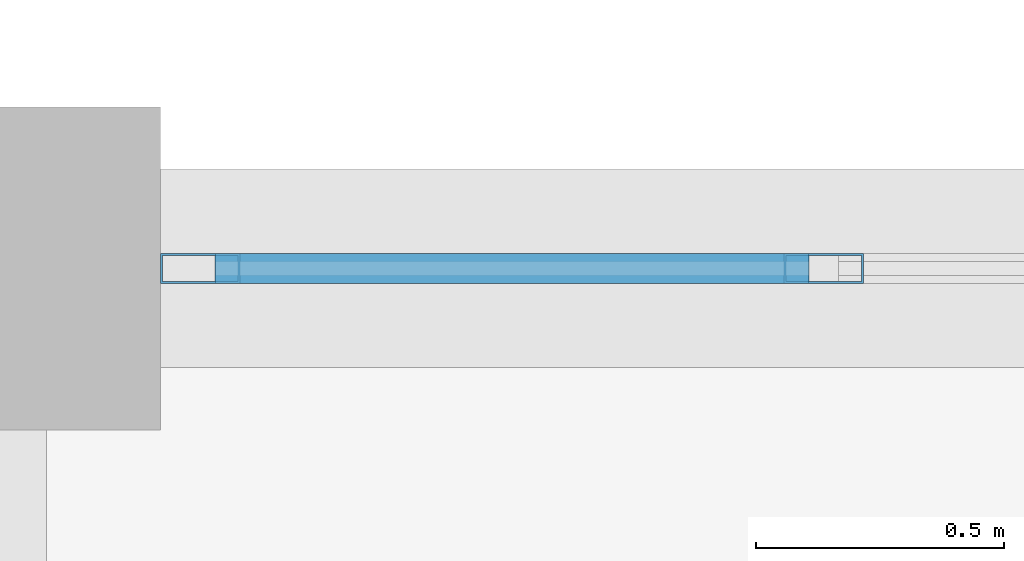
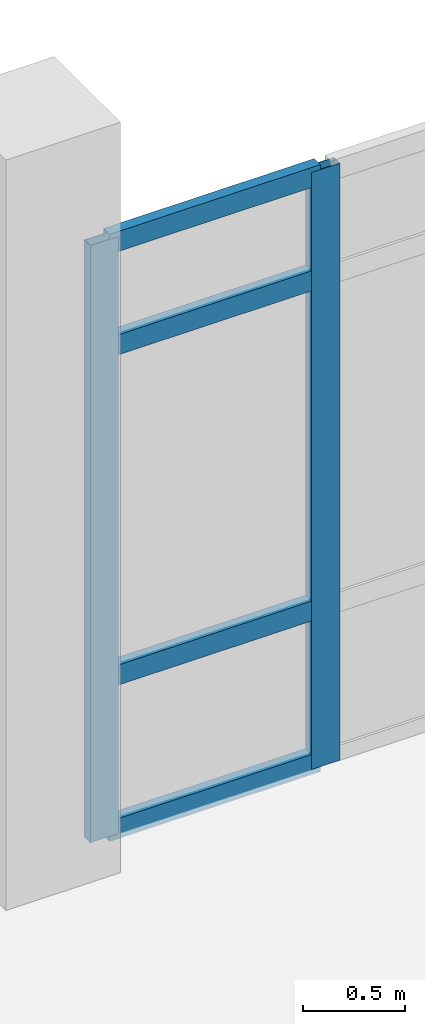
# One storey, part 76 of 116: 6 members, 1 element without a shape of its own.
"""IFC4 building model written with IfcOpenShell, lengths in metres."""

import ifcopenshell
import ifcopenshell.guid

model = None  # the IFC model being written
_history = None  # IfcOwnerHistory: only IFC2X3 demands one
_inside = {}  # id of a spatial element -> (the spatial element, [elements in it])
_under = {}  # id of a project, library or spatial element -> (it, [spatial elements below it])
_declared = {}  # id of a project -> (the project, [libraries it declares])
_typed = {}  # id of a type object -> (the type object, [elements of that type])
_made_of = {}  # id of a material, layer set ... -> (it, [elements and type objects made of it])


def new_model(schema):
    """Start an empty IFC model of exactly this schema.

    Asked for "IFC4X3", IfcOpenShell would pick the latest addendum, in which some entities
    have other attributes; the version numbers below select the first issue.
    IFC2X3 requires an IfcOwnerHistory on every rooted entity: one is made here for all.
    """
    global model, _history
    if schema == "IFC4X3":
        model = ifcopenshell.file(schema_version=(4, 3, 0, 0))
    else:
        model = ifcopenshell.file(schema=schema)
    _inside.clear()
    _under.clear()
    _declared.clear()
    _typed.clear()
    _made_of.clear()
    _history = None
    if model.schema == "IFC2X3":
        org = make("IfcOrganization", Name="unknown")
        user = make(
            "IfcPersonAndOrganization",
            ThePerson=make("IfcPerson", FamilyName="unknown"),
            TheOrganization=org,
        )
        app = make(
            "IfcApplication",
            ApplicationDeveloper=org,
            Version="unknown",
            ApplicationFullName="unknown",
            ApplicationIdentifier="unknown",
        )
        _history = make(
            "IfcOwnerHistory",
            OwningUser=user,
            OwningApplication=app,
            ChangeAction="ADDED",
            CreationDate=0,
        )
    return model


def make(cls, **values):
    """One entity of the class cls with the attributes given. An attribute that is None is left unset."""
    return model.create_entity(
        cls, **{name: value for name, value in values.items() if value is not None}
    )


def rooted(cls, **values):
    """An entity with a GlobalId (a new one), such as an element, a storey or a relation."""
    return make(cls, GlobalId=ifcopenshell.guid.new(), OwnerHistory=_history, **values)


def si_unit(unit_type, name, prefix=None):
    """IfcSIUnit, for example si_unit("LENGTHUNIT", "METRE", prefix="MILLI")."""
    return make("IfcSIUnit", UnitType=unit_type, Prefix=prefix, Name=name)


def assignment(units):
    """IfcUnitAssignment: the units of a project."""
    return None if units is None else make("IfcUnitAssignment", Units=units)


def point(xyz):
    """IfcCartesianPoint."""
    return None if xyz is None else make("IfcCartesianPoint", Coordinates=xyz)


def direction(xyz):
    """IfcDirection."""
    return None if xyz is None else make("IfcDirection", DirectionRatios=xyz)


def frame(location, z_axis=None, x_axis=None):
    """IfcAxis2Placement3D, a coordinate frame: its origin and axes. An axis left out is left unset."""
    return make(
        "IfcAxis2Placement3D",
        Location=point(location),
        Axis=direction(z_axis),
        RefDirection=direction(x_axis),
    )


def frame_2d(location, x_axis=None):
    """IfcAxis2Placement2D, a coordinate frame in the plane: its origin and x axis."""
    return make(
        "IfcAxis2Placement2D", Location=point(location), RefDirection=direction(x_axis)
    )


def origin():
    """The frame at (0, 0, 0) with its axes left unset."""
    return frame((0.0, 0.0, 0.0))


def origin_2d():
    """The frame at (0, 0) in the plane with its x axis left unset."""
    return frame_2d((0.0, 0.0))


def place(relative_to, where):
    """IfcLocalPlacement: puts the frame where relative to a parent placement (None: the world)."""
    return make(
        "IfcLocalPlacement", PlacementRelTo=relative_to, RelativePlacement=where
    )


def context(
    kind, dimensions, precision=None, world=None, true_north=None, identifier=None
):
    """IfcGeometricRepresentationContext, for example the 3D "Model" context."""
    return make(
        "IfcGeometricRepresentationContext",
        ContextIdentifier=identifier,
        ContextType=kind,
        CoordinateSpaceDimension=dimensions,
        Precision=precision,
        WorldCoordinateSystem=world,
        TrueNorth=true_north,
    )


def subcontext(parent, identifier, kind, view, scale=None):
    """IfcGeometricRepresentationSubContext, for example "Body" below "Model"."""
    return make(
        "IfcGeometricRepresentationSubContext",
        ContextIdentifier=identifier,
        ContextType=kind,
        ParentContext=parent,
        TargetScale=scale,
        TargetView=view,
    )


def project(units=None, contexts=None):
    """IfcProject with its units and contexts."""
    return rooted(
        "IfcProject",
        Name="project",
        RepresentationContexts=contexts,
        UnitsInContext=assignment(units),
    )


def spatial(cls, under=None, at=None, **own):
    """A site, building, storey or space (cls), placed at a placement, below another one or the project."""
    s = rooted(cls, ObjectPlacement=at, **own)
    if under is not None:
        _under.setdefault(under.id(), (under, []))[1].append(s)
    return s


def profile(cls, at=None, kind="AREA", **sizes):
    """A parametric profile (cls). Its sizes go by their IFC names, for example OverallWidth=200.0."""
    return make(cls, ProfileType=kind, Position=at, **sizes)


def hollow_rectangle(**sizes):
    """IfcRectangleHollowProfileDef."""
    return profile("IfcRectangleHollowProfileDef", **sizes)


def extrude(swept, where, along, depth):
    """IfcExtrudedAreaSolid: the profile swept, set in the frame where, extruded along a direction by depth."""
    return make(
        "IfcExtrudedAreaSolid",
        SweptArea=swept,
        Position=where,
        ExtrudedDirection=direction(along),
        Depth=depth,
    )


def shape(context_of_items, identifier, shape_type, items):
    """IfcShapeRepresentation: the items that make up one representation, for example the "Body"."""
    return make(
        "IfcShapeRepresentation",
        ContextOfItems=context_of_items,
        RepresentationIdentifier=identifier,
        RepresentationType=shape_type,
        Items=items,
    )


def material(Name=None, Category=None):
    """IfcMaterial."""
    return make("IfcMaterial", Name=Name, Category=Category)


def material_profile(
    of_material, cross_section, Name=None, Category=None, Priority=None
):
    """IfcMaterialProfile: a cross section and its material."""
    return make(
        "IfcMaterialProfile",
        Name=Name,
        Material=of_material,
        Profile=cross_section,
        Priority=Priority,
        Category=Category,
    )


def profile_set(profiles, Name=None, composite=None):
    """IfcMaterialProfileSet."""
    return make(
        "IfcMaterialProfileSet",
        Name=Name,
        MaterialProfiles=profiles,
        CompositeProfile=composite,
    )


def made_of(thing, what):
    """Note that an element or type object is made of a material, layer set ...; save() writes the relation."""
    if what is not None:
        _made_of.setdefault(what.id(), (what, []))[1].append(thing)
    return thing


def type_object(cls, material=None, **own):
    """A type object (cls), such as IfcWallType, which elements share."""
    return made_of(rooted(cls, **own), material)


def element(
    cls,
    number,
    at=None,
    inside=None,
    cuts=None,
    type_object=None,
    material=None,
    context=None,
    identifier="Body",
    shape_type=None,
    held_by="IfcProductDefinitionShape",
    body=None,
    shapes=None,
    **own,
):
    """One element of the class cls, such as IfcWall. Its Tag is "e" and its number.

    at: its placement. inside: the storey or other place that contains it. cuts: it is an
    opening in that element (IfcRelVoidsElement). A single representation is given by context,
    identifier, shape_type and body (its items); several are given by shapes. held_by: the class
    of the entity that holds the representations. save() writes the other relations.
    """
    e = rooted(cls, Tag="e%d" % number, ObjectPlacement=at, **own)
    if body is not None:
        shapes = [shape(context, identifier, shape_type, body)]
    if shapes is not None:
        e.Representation = make(held_by, Representations=shapes)
    if inside is not None:
        _inside.setdefault(inside.id(), (inside, []))[1].append(e)
    if cuts is not None:
        rooted(
            "IfcRelVoidsElement", RelatingBuildingElement=cuts, RelatedOpeningElement=e
        )
    if type_object is not None:
        _typed.setdefault(type_object.id(), (type_object, []))[1].append(e)
    return made_of(e, material)


def aggregate(whole, parts):
    """IfcRelAggregates: a whole, such as a stair, and the parts it consists of."""
    return rooted("IfcRelAggregates", RelatingObject=whole, RelatedObjects=parts)


def save(model, path):
    """Write the relations noted so far, then the file.

    IfcRelAggregates (storeys below a building ...), IfcRelContainedInSpatialStructure (elements
    in a storey), IfcRelDefinesByType, IfcRelAssociatesMaterial and IfcRelDeclares: one each for
    every whole, place, type object, material and project.
    """
    for whole, parts in _under.values():
        aggregate(whole, parts)
    for where, things in _inside.values():
        rooted(
            "IfcRelContainedInSpatialStructure",
            RelatedElements=things,
            RelatingStructure=where,
        )
    for kind, things in _typed.values():
        rooted("IfcRelDefinesByType", RelatedObjects=things, RelatingType=kind)
    for what, things in _made_of.values():
        rooted("IfcRelAssociatesMaterial", RelatedObjects=things, RelatingMaterial=what)
    for by, libraries in _declared.values():
        rooted("IfcRelDeclares", RelatingContext=by, RelatedDefinitions=libraries)
    model.write(path)


model = new_model("IFC4")

# Units and contexts
model_context = context("Model", 3, precision=1e-05, world=origin(), true_north=direction((0.0, 1.0)))
body_context = subcontext(model_context, "Body", "Model", "MODEL_VIEW")
ifc_project = project(units=[si_unit("LENGTHUNIT", "METRE"), si_unit("AREAUNIT", "SQUARE_METRE"), si_unit("VOLUMEUNIT", "CUBIC_METRE"), si_unit("PLANEANGLEUNIT", "RADIAN"), si_unit("MASSUNIT", "GRAM", prefix="KILO")], contexts=[model_context])

# Site, building, storey
site_placement = place(None, origin())
site = spatial("IfcSite", under=ifc_project, at=site_placement, CompositionType="ELEMENT")
building_placement = place(site_placement, origin())
building = spatial("IfcBuilding", under=site, at=building_placement, Name="Kalluvel Institute of Natural Sciences", CompositionType="ELEMENT")
storey_placement = place(building_placement, frame((0.0, 0.0, 14.39990234375)))
storey = spatial("IfcBuildingStorey", under=building, at=storey_placement, Name="L03", CompositionType="ELEMENT", Elevation=14.39990234375)

# Curtain wall, members
ifc_material = material(Name="Aluminium AW-6063 T6", Category="aluminium")
curtain_wall_type = type_object("IfcCurtainWallType", Name="CW-WET-45", PredefinedType="USERDEFINED", material=ifc_material)
curtain_wall_placement = place(storey_placement, origin())
curtain_wall = element("IfcCurtainWall", 1, at=curtain_wall_placement, inside=storey, type_object=curtain_wall_type, Name="L03 Gothic lancet curtain wall CWA-L03-X1080-Y1280", ObjectType="UNITISED LANCET FACADE", PredefinedType="USERDEFINED")
ifc_material_profile_1 = material_profile(ifc_material, hollow_rectangle(XDim=0.06005859375, YDim=0.159912109375, WallThickness=0.00390625, at=origin_2d()), Name="CWM 60x160")
ifc_profile_set_1 = profile_set([ifc_material_profile_1], Name="Aluminium AW-6063 T6")
member_type_1 = type_object("IfcMemberType", Name="CWM-60x160", PredefinedType="MULLION", material=ifc_profile_set_1)
member_1_placement = place(storey_placement, frame((108.0048828125, 128.0, 0.0), z_axis=(0.0, 0.0, 1.0), x_axis=(0.0, 1.0, 0.0)))
member_1 = element("IfcMember", 2, at=member_1_placement, type_object=member_type_1, Name="CW-01 mullion 1", PredefinedType="MULLION", context=body_context, shape_type="SweptSolid", body=[
    extrude(hollow_rectangle(XDim=0.06005859375, YDim=0.159912109375, WallThickness=0.00390625, at=origin_2d()), origin(), (0.0, 0.0, 1.0), 3.580078125),
])
member_2_placement = place(storey_placement, frame((109.260009765625, 128.0, 0.0), z_axis=(0.0, 0.0, 1.0), x_axis=(0.0, 1.0, 0.0)))
member_2 = element("IfcMember", 3, at=member_2_placement, type_object=member_type_1, Name="CW-01 mullion 2", PredefinedType="MULLION", context=body_context, shape_type="SweptSolid", body=[
    extrude(hollow_rectangle(XDim=0.06005859375, YDim=0.159912109375, WallThickness=0.00390625, at=origin_2d()), origin(), (0.0, 0.0, 1.0), 3.580078125),
])
ifc_material_profile_2 = material_profile(ifc_material, hollow_rectangle(XDim=0.06005859375, YDim=0.1201171875, WallThickness=0.00390625, at=origin_2d()), Name="CWT 60x120")
ifc_profile_set_2 = profile_set([ifc_material_profile_2], Name="Aluminium AW-6063 T6")
member_type_2 = type_object("IfcMemberType", Name="CWT-60x120", PredefinedType="USERDEFINED", material=ifc_profile_set_2)
member_3_placement = place(storey_placement, frame((108.034912109375, 128.0, 0.030029296875), z_axis=(1.0, 0.0, 0.0), x_axis=(0.0, 1.0, 0.0)))
member_3 = element("IfcMember", 4, at=member_3_placement, type_object=member_type_2, Name="CW-01 transom 1.1", ObjectType="TRANSOM", PredefinedType="USERDEFINED", context=body_context, shape_type="SweptSolid", body=[
    extrude(hollow_rectangle(XDim=0.06005859375, YDim=0.1201171875, WallThickness=0.00390625, at=origin_2d()), origin(), (0.0, 0.0, 1.0), 1.195068359375),
])
member_4_placement = place(storey_placement, frame((108.034912109375, 128.0, 0.9501953125), z_axis=(1.0, 0.0, 0.0), x_axis=(0.0, 1.0, 0.0)))
member_4 = element("IfcMember", 5, at=member_4_placement, type_object=member_type_2, Name="CW-01 transom 1.2", ObjectType="TRANSOM", PredefinedType="USERDEFINED", context=body_context, shape_type="SweptSolid", body=[
    extrude(hollow_rectangle(XDim=0.06005859375, YDim=0.1201171875, WallThickness=0.00390625, at=origin_2d()), origin(), (0.0, 0.0, 1.0), 1.195068359375),
])
member_5_placement = place(storey_placement, frame((108.034912109375, 128.0, 2.93017578125), z_axis=(1.0, 0.0, 0.0), x_axis=(0.0, 1.0, 0.0)))
member_5 = element("IfcMember", 6, at=member_5_placement, type_object=member_type_2, Name="CW-01 transom 1.3", ObjectType="TRANSOM", PredefinedType="USERDEFINED", context=body_context, shape_type="SweptSolid", body=[
    extrude(hollow_rectangle(XDim=0.06005859375, YDim=0.1201171875, WallThickness=0.00390625, at=origin_2d()), origin(), (0.0, 0.0, 1.0), 1.195068359375),
])
member_6_placement = place(storey_placement, frame((108.034912109375, 128.0, 3.550048828125), z_axis=(1.0, 0.0, 0.0), x_axis=(0.0, 1.0, 0.0)))
member_6 = element("IfcMember", 7, at=member_6_placement, type_object=member_type_2, Name="CW-01 transom 1.4", ObjectType="TRANSOM", PredefinedType="USERDEFINED", context=body_context, shape_type="SweptSolid", body=[
    extrude(hollow_rectangle(XDim=0.06005859375, YDim=0.1201171875, WallThickness=0.00390625, at=origin_2d()), origin(), (0.0, 0.0, 1.0), 1.195068359375),
])
aggregate(curtain_wall, [member_1, member_2, member_3, member_4, member_5, member_6])

save(model, "model.ifc")
